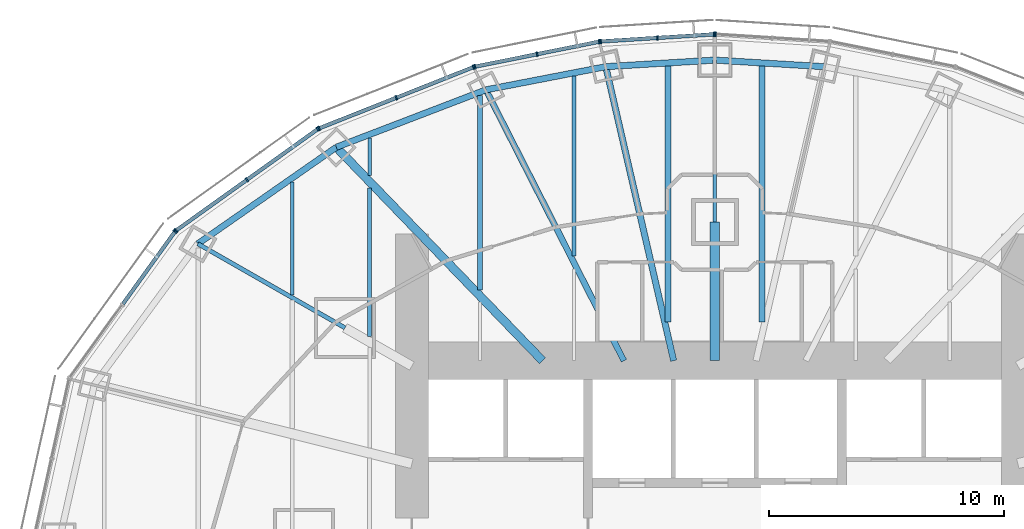
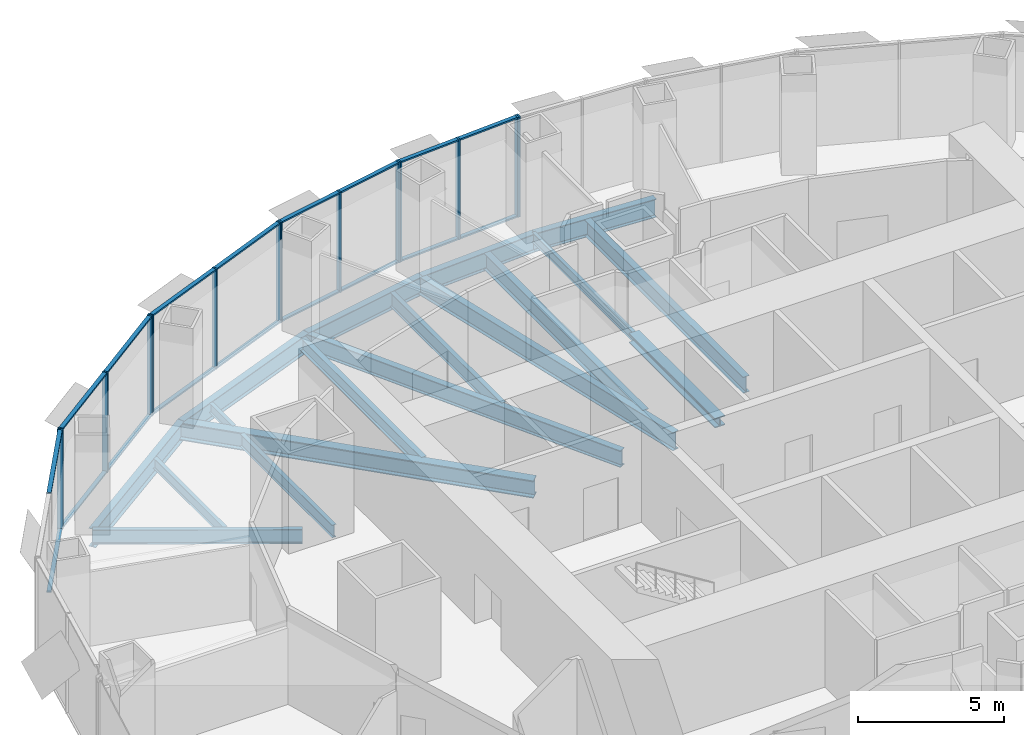
# One storey, part 7 of 17: 32 members, 18 beams, 6 elements without a shape of their own.
"""IFC4 building model written with IfcOpenShell, lengths in metres."""

from ifc_helpers import new_model, si_unit, direction, frame, origin, origin_2d, place, context, subcontext, project, spatial, rectangle, i_section, extrude, material, material_profile, profile_set, type_object, element, aggregate, save


model = new_model("IFC4")

# Units and contexts
model_context = context("Model", 3, precision=1e-05, world=origin(), true_north=direction((0.0, 1.0)))
body_context = subcontext(model_context, "Body", "Model", "MODEL_VIEW")
ifc_project = project(units=[si_unit("LENGTHUNIT", "METRE"), si_unit("AREAUNIT", "SQUARE_METRE"), si_unit("VOLUMEUNIT", "CUBIC_METRE"), si_unit("PLANEANGLEUNIT", "RADIAN"), si_unit("MASSUNIT", "GRAM", prefix="KILO")], contexts=[model_context])

# Site, building, storey
site_placement = place(None, origin())
site = spatial("IfcSite", under=ifc_project, at=site_placement, CompositionType="ELEMENT")
building_placement = place(site_placement, origin())
building = spatial("IfcBuilding", under=site, at=building_placement, Name="Lantaw Convention Tower", CompositionType="ELEMENT")
storey_placement = place(building_placement, frame((0.0, 0.0, 163.60009765625)))
storey = spatial("IfcBuildingStorey", under=building, at=storey_placement, Name="L38", CompositionType="ELEMENT", Elevation=163.60009765625)

# Beams
ifc_material_1 = material(Name="Steel ASTM A992", Category="steel")
ifc_material_profile_1 = material_profile(ifc_material_1, i_section(OverallWidth=0.2666015625, OverallDepth=0.76953125, WebThickness=0.015625, FlangeThickness=0.025390625, FilletRadius=0.0126953125, at=origin_2d()), Name="W30X132")
ifc_profile_set_1 = profile_set([ifc_material_profile_1], Name="Steel ASTM A992")
beam_type_1 = type_object("IfcBeamType", Name="Beam E W30X132", PredefinedType="SPANDREL", material=ifc_profile_set_1)
for number, where, z_axis, x_axis, name in (
    (1, (4.64501953125, 20.1201171875, -0.534912109375), (-0.998190892054, 0.06012439621, 0.0), (-0.06012439621, -0.998190892054, 0.0), "Edge beam 6"),
    (2, (0.0, 20.39990234375, -0.534912109375), (-0.998190892054, -0.06012439621, 0.0), (0.06012439621, -0.998190892054, 0.0), "Edge beam 7"),
):
    element("IfcBeam", number, at=place(storey_placement, frame(where, z_axis=z_axis, x_axis=x_axis)), inside=storey, type_object=beam_type_1, Name=name, PredefinedType="SPANDREL", context=body_context, shape_type="SweptSolid", body=[
        extrude(i_section(OverallWidth=0.2666015625, OverallDepth=0.76953125, WebThickness=0.015625, FlangeThickness=0.025390625, FilletRadius=0.0126953125, at=origin_2d()), origin(), (0.0, 0.0, 1.0), 4.6533203125),
    ])
beam_1_placement = place(storey_placement, frame((-4.64501953125, 20.1201171875, -0.534912109375), z_axis=(-0.981796805654, -0.189934284446, 0.0), x_axis=(0.189934284446, -0.981796805654, 0.0)))
element("IfcBeam", 3, at=beam_1_placement, inside=storey, type_object=beam_type_1, Name="Edge beam 8", PredefinedType="SPANDREL", context=body_context, shape_type="SweptSolid", body=[
    extrude(i_section(OverallWidth=0.2666015625, OverallDepth=0.76953125, WebThickness=0.015625, FlangeThickness=0.025390625, FilletRadius=0.0126953125, at=origin_2d()), origin(), (0.0, 0.0, 1.0), 5.1982421875),
])
beam_2_placement = place(storey_placement, frame((-9.74853515625, 19.1328125, -0.534912109375), z_axis=(-0.933691081977, -0.358079549033, 0.0), x_axis=(0.358079549033, -0.933691081977, 0.0)))
element("IfcBeam", 4, at=beam_2_placement, inside=storey, type_object=beam_type_1, Name="Edge beam 9", PredefinedType="SPANDREL", context=body_context, shape_type="SweptSolid", body=[
    extrude(i_section(OverallWidth=0.2666015625, OverallDepth=0.76953125, WebThickness=0.015625, FlangeThickness=0.025390625, FilletRadius=0.0126953125, at=origin_2d()), origin(), (0.0, 0.0, 1.0), 6.821533203125),
])
beam_3_placement = place(storey_placement, frame((-16.11767578125, 16.690185546875, -0.534912109375), z_axis=(-0.820310765287, -0.57191804339, 0.0), x_axis=(0.57191804339, -0.820310765287, 0.0)))
element("IfcBeam", 5, at=beam_3_placement, inside=storey, type_object=beam_type_1, Name="Edge beam 10", PredefinedType="SPANDREL", context=body_context, shape_type="SweptSolid", body=[
    extrude(i_section(OverallWidth=0.2666015625, OverallDepth=0.76953125, WebThickness=0.015625, FlangeThickness=0.025390625, FilletRadius=0.0126953125, at=origin_2d()), origin(), (0.0, 0.0, 1.0), 7.187744140625),
])
ifc_material_profile_2 = material_profile(ifc_material_1, i_section(OverallWidth=0.140380859375, OverallDepth=0.40380859375, WebThickness=0.007080078125, FlangeThickness=0.01123046875, FilletRadius=0.01025390625, at=origin_2d()), Name="W16X31")
ifc_profile_set_2 = profile_set([ifc_material_profile_2], Name="Steel ASTM A992")
beam_type_2 = type_object("IfcBeamType", Name="Beam G W16X31", PredefinedType="BEAM", material=ifc_profile_set_2)
beam_4_placement = place(storey_placement, frame((0.0, 13.5, -0.35205078125), z_axis=(0.0, 1.0, 0.0), x_axis=(-1.0, 0.0, 0.0)))
element("IfcBeam", 6, at=beam_4_placement, inside=storey, type_object=beam_type_2, Name="Floor girder on ray 7", PredefinedType="BEAM", context=body_context, shape_type="SweptSolid", body=[
    extrude(i_section(OverallWidth=0.140380859375, OverallDepth=0.40380859375, WebThickness=0.007080078125, FlangeThickness=0.01123046875, FilletRadius=0.01025390625, at=origin_2d()), origin(), (0.0, 0.0, 1.0), 6.89990234375),
])
ifc_material_profile_3 = material_profile(ifc_material_1, i_section(OverallWidth=0.177978515625, OverallDepth=0.599365234375, WebThickness=0.010009765625, FlangeThickness=0.012939453125, FilletRadius=0.012939453125, at=origin_2d()), Name="W24X55")
ifc_profile_set_3 = profile_set([ifc_material_profile_3], Name="Steel ASTM A992")
beam_type_3 = type_object("IfcBeamType", Name="Beam G W24X55", PredefinedType="BEAM", material=ifc_profile_set_3)
beam_5_placement = place(storey_placement, frame((-15.75, 9.0, -0.44970703125), z_axis=(-0.868245224608, 0.496135293993, 0.0), x_axis=(-0.496135293993, -0.868245224608, 0.0)))
element("IfcBeam", 7, at=beam_5_placement, inside=storey, type_object=beam_type_3, Name="Floor girder on ray 11", PredefinedType="BEAM", context=body_context, shape_type="SweptSolid", body=[
    extrude(i_section(OverallWidth=0.177978515625, OverallDepth=0.599365234375, WebThickness=0.010009765625, FlangeThickness=0.012939453125, FilletRadius=0.012939453125, at=origin_2d()), origin(), (0.0, 0.0, 1.0), 7.21435546875),
])
ifc_material_profile_4 = material_profile(ifc_material_1, i_section(OverallWidth=0.25390625, OverallDepth=0.700927734375, WebThickness=0.015380859375, FlangeThickness=0.02783203125, FilletRadius=0.01513671875, at=origin_2d()), Name="W27X129")
ifc_profile_set_4 = profile_set([ifc_material_profile_4], Name="Steel ASTM A992")
beam_type_4 = type_object("IfcBeamType", Name="Beam G W27X129", PredefinedType="BEAM", material=ifc_profile_set_4)
beam_6_placement = place(storey_placement, frame((-3.872314453125, 7.60009765625, -0.500732421875), z_axis=(-0.453991051051, 0.891006243281, 0.0), x_axis=(-0.891006243281, -0.453991051051, 0.0)))
element("IfcBeam", 8, at=beam_6_placement, inside=storey, type_object=beam_type_4, Name="Floor girder on ray 9", PredefinedType="BEAM", context=body_context, shape_type="SweptSolid", body=[
    extrude(i_section(OverallWidth=0.25390625, OverallDepth=0.700927734375, WebThickness=0.015380859375, FlangeThickness=0.02783203125, FilletRadius=0.01513671875, at=origin_2d()), origin(), (0.0, 0.0, 1.0), 12.943359375),
])
ifc_material_profile_5 = material_profile(ifc_material_1, i_section(OverallWidth=0.360595703125, OverallDepth=0.72900390625, WebThickness=0.023193359375, FlangeThickness=0.041015625, FilletRadius=0.0126953125, at=origin_2d()), Name="W27X235")
ifc_profile_set_5 = profile_set([ifc_material_profile_5], Name="Steel ASTM A992")
beam_type_5 = type_object("IfcBeamType", Name="Beam G W27X235", PredefinedType="BEAM", material=ifc_profile_set_5)
beam_7_placement = place(storey_placement, frame((-7.33935546875, 7.60009765625, -0.5146484375), z_axis=(-0.694663467407, 0.719334878239, 0.0), x_axis=(-0.719334878239, -0.694663467407, 0.0)))
element("IfcBeam", 9, at=beam_7_placement, inside=storey, type_object=beam_type_5, Name="Floor girder on ray 10", PredefinedType="BEAM", context=body_context, shape_type="SweptSolid", body=[
    extrude(i_section(OverallWidth=0.360595703125, OverallDepth=0.72900390625, WebThickness=0.023193359375, FlangeThickness=0.041015625, FilletRadius=0.0126953125, at=origin_2d()), origin(), (0.0, 0.0, 1.0), 12.63671875),
])
ifc_material_profile_6 = material_profile(ifc_material_1, i_section(OverallWidth=0.2666015625, OverallDepth=0.7568359375, WebThickness=0.013916015625, FlangeThickness=0.019287109375, FilletRadius=0.0126953125, at=origin_2d()), Name="W30X108")
ifc_profile_set_6 = profile_set([ifc_material_profile_6], Name="Steel ASTM A992")
beam_type_6 = type_object("IfcBeamType", Name="Beam G W30X108", PredefinedType="BEAM", material=ifc_profile_set_6)
beam_8_placement = place(storey_placement, frame((-1.754638671875, 7.60009765625, -0.528564453125), z_axis=(-0.224944153104, 0.974371658036, 0.0), x_axis=(-0.974371658036, -0.224944153104, 0.0)))
element("IfcBeam", 10, at=beam_8_placement, inside=storey, type_object=beam_type_6, Name="Floor girder on ray 8", PredefinedType="BEAM", context=body_context, shape_type="SweptSolid", body=[
    extrude(i_section(OverallWidth=0.2666015625, OverallDepth=0.7568359375, WebThickness=0.013916015625, FlangeThickness=0.019287109375, FilletRadius=0.0126953125, at=origin_2d()), origin(), (0.0, 0.0, 1.0), 12.849365234375),
])
ifc_material_profile_7 = material_profile(ifc_material_1, i_section(OverallWidth=0.40380859375, OverallDepth=0.406494140625, WebThickness=0.027099609375, FlangeThickness=0.043701171875, FilletRadius=0.01513671875, at=origin_2d()), Name="W14X233")
ifc_profile_set_7 = profile_set([ifc_material_profile_7], Name="Steel ASTM A992")
beam_type_7 = type_object("IfcBeamType", Name="Beam GM W14X233", PredefinedType="BEAM", material=ifc_profile_set_7)
beam_9_placement = place(storey_placement, frame((0.0, 7.60009765625, -0.353271484375), z_axis=(0.0, 1.0, 0.0), x_axis=(-1.0, 0.0, 0.0)))
element("IfcBeam", 11, at=beam_9_placement, inside=storey, type_object=beam_type_7, Name="Core link beam on ray 7", PredefinedType="BEAM", context=body_context, shape_type="SweptSolid", body=[
    extrude(i_section(OverallWidth=0.40380859375, OverallDepth=0.406494140625, WebThickness=0.027099609375, FlangeThickness=0.043701171875, FilletRadius=0.01513671875, at=origin_2d()), origin(), (0.0, 0.0, 1.0), 5.89990234375),
])
ifc_material_profile_8 = material_profile(ifc_material_1, i_section(OverallWidth=0.140380859375, OverallDepth=0.40380859375, WebThickness=0.007080078125, FlangeThickness=0.01123046875, FilletRadius=0.01025390625, at=origin_2d()), Name="W16X31")
ifc_profile_set_8 = profile_set([ifc_material_profile_8], Name="Steel ASTM A992")
beam_type_8 = type_object("IfcBeamType", Name="Beam J W16X31", PredefinedType="JOIST", material=ifc_profile_set_8)
beam_10_placement = place(storey_placement, frame((-14.699951171875, 15.48193359375, -0.35205078125), z_axis=(0.0, 1.0, 0.0), x_axis=(-1.0, 0.0, 0.0)))
element("IfcBeam", 12, at=beam_10_placement, inside=storey, type_object=beam_type_8, Name="Floor joist", PredefinedType="JOIST", context=body_context, shape_type="SweptSolid", body=[
    extrude(i_section(OverallWidth=0.140380859375, OverallDepth=0.40380859375, WebThickness=0.007080078125, FlangeThickness=0.01123046875, FilletRadius=0.01025390625, at=origin_2d()), origin(), (0.0, 0.0, 1.0), 1.609130859375),
])
ifc_material_profile_9 = material_profile(ifc_material_1, i_section(OverallWidth=0.15234375, OverallDepth=0.449462890625, WebThickness=0.007568359375, FlangeThickness=0.0107421875, FilletRadius=0.01025390625, at=origin_2d()), Name="W18X35")
ifc_profile_set_9 = profile_set([ifc_material_profile_9], Name="Steel ASTM A992")
beam_type_9 = type_object("IfcBeamType", Name="Beam J W18X35", PredefinedType="JOIST", material=ifc_profile_set_9)
beam_11_placement = place(storey_placement, frame((-18.0, 10.38818359375, -0.375), z_axis=(0.0, 1.0, 0.0), x_axis=(-1.0, 0.0, 0.0)))
element("IfcBeam", 13, at=beam_11_placement, inside=storey, type_object=beam_type_9, Name="Floor joist", PredefinedType="JOIST", context=body_context, shape_type="SweptSolid", body=[
    extrude(i_section(OverallWidth=0.15234375, OverallDepth=0.449462890625, WebThickness=0.007568359375, FlangeThickness=0.0107421875, FilletRadius=0.01025390625, at=origin_2d()), origin(), (0.0, 0.0, 1.0), 4.8271484375),
])
ifc_material_profile_10 = material_profile(ifc_material_1, i_section(OverallWidth=0.1650390625, OverallDepth=0.52587890625, WebThickness=0.0087890625, FlangeThickness=0.011474609375, FilletRadius=0.0126953125, at=origin_2d()), Name="W21X44")
ifc_profile_set_10 = profile_set([ifc_material_profile_10], Name="Steel ASTM A992")
beam_type_10 = type_object("IfcBeamType", Name="Beam J W21X44", PredefinedType="JOIST", material=ifc_profile_set_10)
beam_12_placement = place(storey_placement, frame((-14.699951171875, 8.632568359375, -0.4130859375), z_axis=(0.0, 1.0, 0.0), x_axis=(-1.0, 0.0, 0.0)))
element("IfcBeam", 14, at=beam_12_placement, inside=storey, type_object=beam_type_10, Name="Floor joist", PredefinedType="JOIST", context=body_context, shape_type="SweptSolid", body=[
    extrude(i_section(OverallWidth=0.1650390625, OverallDepth=0.52587890625, WebThickness=0.0087890625, FlangeThickness=0.011474609375, FilletRadius=0.0126953125, at=origin_2d()), origin(), (0.0, 0.0, 1.0), 6.330078125),
])
ifc_material_profile_11 = material_profile(ifc_material_1, i_section(OverallWidth=0.2099609375, OverallDepth=0.535888671875, WebThickness=0.010986328125, FlangeThickness=0.017333984375, FilletRadius=0.012939453125, at=origin_2d()), Name="W21X68")
ifc_profile_set_11 = profile_set([ifc_material_profile_11], Name="Steel ASTM A992")
beam_type_11 = type_object("IfcBeamType", Name="Beam J W21X68", PredefinedType="JOIST", material=ifc_profile_set_11)
beam_13_placement = place(storey_placement, frame((-10.0, 10.614990234375, -0.41796875), z_axis=(0.0, 1.0, 0.0), x_axis=(-1.0, 0.0, 0.0)))
element("IfcBeam", 15, at=beam_13_placement, inside=storey, type_object=beam_type_11, Name="Floor joist", PredefinedType="JOIST", context=body_context, shape_type="SweptSolid", body=[
    extrude(i_section(OverallWidth=0.2099609375, OverallDepth=0.535888671875, WebThickness=0.010986328125, FlangeThickness=0.017333984375, FilletRadius=0.012939453125, at=origin_2d()), origin(), (0.0, 0.0, 1.0), 8.278564453125),
])
ifc_material_profile_12 = material_profile(ifc_material_1, i_section(OverallWidth=0.177978515625, OverallDepth=0.599365234375, WebThickness=0.010009765625, FlangeThickness=0.012939453125, FilletRadius=0.012939453125, at=origin_2d()), Name="W24X55")
ifc_profile_set_12 = profile_set([ifc_material_profile_12], Name="Steel ASTM A992")
beam_type_12 = type_object("IfcBeamType", Name="Beam J W24X55", PredefinedType="JOIST", material=ifc_profile_set_12)
beam_14_placement = place(storey_placement, frame((-6.0, 12.055419921875, -0.44970703125), z_axis=(0.0, 1.0, 0.0), x_axis=(-1.0, 0.0, 0.0)))
element("IfcBeam", 16, at=beam_14_placement, inside=storey, type_object=beam_type_12, Name="Floor joist", PredefinedType="JOIST", context=body_context, shape_type="SweptSolid", body=[
    extrude(i_section(OverallWidth=0.177978515625, OverallDepth=0.599365234375, WebThickness=0.010009765625, FlangeThickness=0.012939453125, FilletRadius=0.012939453125, at=origin_2d()), origin(), (0.0, 0.0, 1.0), 7.666748046875),
])
ifc_material_profile_13 = material_profile(ifc_material_1, i_section(OverallWidth=0.25390625, OverallDepth=0.683349609375, WebThickness=0.012451171875, FlangeThickness=0.01904296875, FilletRadius=0.01513671875, at=origin_2d()), Name="W27X94")
ifc_profile_set_13 = profile_set([ifc_material_profile_13], Name="Steel ASTM A992")
beam_type_13 = type_object("IfcBeamType", Name="Beam J W27X94", PredefinedType="JOIST", material=ifc_profile_set_13)
for number, where, z_axis, x_axis, name in (
    (17, (-2.0, 9.255859375, -0.49169921875), (0.0, 1.0, 0.0), (-1.0, 0.0, 0.0), "Floor joist"),
    (18, (2.0, 9.255859375, -0.49169921875), (0.0, 1.0, 0.0), (-1.0, 0.0, 0.0), "Floor joist"),
):
    element("IfcBeam", number, at=place(storey_placement, frame(where, z_axis=z_axis, x_axis=x_axis)), inside=storey, type_object=beam_type_13, Name=name, PredefinedType="JOIST", context=body_context, shape_type="SweptSolid", body=[
        extrude(i_section(OverallWidth=0.25390625, OverallDepth=0.683349609375, WebThickness=0.012451171875, FlangeThickness=0.01904296875, FilletRadius=0.01513671875, at=origin_2d()), origin(), (0.0, 0.0, 1.0), 10.889892578125),
    ])

# Curtain wall, member
ifc_material_2 = material(Name="Aluminium framed curtain wall", Category="aluminium")
curtain_wall_type = type_object("IfcCurtainWallType", Name="Office curtain wall low rise, pale aluminium", PredefinedType="USERDEFINED", material=ifc_material_2)
curtain_wall_1_placement = place(storey_placement, origin())
curtain_wall_1 = element("IfcCurtainWall", 19, at=curtain_wall_1_placement, inside=storey, type_object=curtain_wall_type, Name="Office curtain wall low rise, pale aluminium L38", ObjectType="UNITISED CURTAIN WALL", PredefinedType="USERDEFINED")
ifc_material_3 = material(Name="Aluminium 6063-T6", Category="aluminium")
ifc_material_profile_14 = material_profile(ifc_material_3, rectangle(XDim=0.199951171875, YDim=0.06494140625, at=origin_2d()), Name="CW-O1 mullion 65x200")
ifc_profile_set_14 = profile_set([ifc_material_profile_14], Name="Aluminium 6063-T6")
member_type_1 = type_object("IfcMemberType", Name="CW-O1 mullion 65x200", PredefinedType="MULLION", material=ifc_profile_set_14)
member_1_placement = place(storey_placement, frame((0.032470703125, 21.498046875, -0.150146484375), z_axis=(0.0, 0.0, 1.0), x_axis=(-0.062865059466, -0.998022035978, 0.0)))
member_1 = element("IfcMember", 20, at=member_1_placement, type_object=member_type_1, Name="CW-O1 mullion 3", PredefinedType="MULLION", context=body_context, shape_type="SweptSolid", body=[
    extrude(rectangle(XDim=0.199951171875, YDim=0.06494140625, at=origin_2d()), origin(), (0.0, 0.0, 1.0), 4.199951171875),
])
aggregate(curtain_wall_1, [member_1])

# Curtain wall, members
curtain_wall_2_placement = place(storey_placement, origin())
curtain_wall_2 = element("IfcCurtainWall", 21, at=curtain_wall_2_placement, inside=storey, type_object=curtain_wall_type, Name="Office curtain wall low rise, pale aluminium L38", ObjectType="UNITISED CURTAIN WALL", PredefinedType="USERDEFINED")
member_2_placement = place(storey_placement, frame((-0.032470703125, 21.498046875, -0.150146484375), z_axis=(0.0, 0.0, 1.0), x_axis=(0.062865059466, -0.998022035978, 0.0)))
member_2 = element("IfcMember", 22, at=member_2_placement, type_object=member_type_1, Name="CW-O1 mullion 1", PredefinedType="MULLION", context=body_context, shape_type="SweptSolid", body=[
    extrude(rectangle(XDim=0.199951171875, YDim=0.06494140625, at=origin_2d()), origin(), (0.0, 0.0, 1.0), 4.199951171875),
])
member_3_placement = place(storey_placement, frame((-2.4462890625, 21.345947265625, -0.150146484375), z_axis=(0.0, 0.0, 1.0), x_axis=(0.062865059466, -0.998022035978, 0.0)))
member_3 = element("IfcMember", 23, at=member_3_placement, type_object=member_type_1, Name="CW-O1 mullion 2", PredefinedType="MULLION", context=body_context, shape_type="SweptSolid", body=[
    extrude(rectangle(XDim=0.199951171875, YDim=0.06494140625, at=origin_2d()), origin(), (0.0, 0.0, 1.0), 4.199951171875),
])
member_4_placement = place(storey_placement, frame((-4.860107421875, 21.19384765625, -0.150146484375), z_axis=(0.0, 0.0, 1.0), x_axis=(0.062865059466, -0.998022035978, 0.0)))
member_4 = element("IfcMember", 24, at=member_4_placement, type_object=member_type_1, Name="CW-O1 mullion 3", PredefinedType="MULLION", context=body_context, shape_type="SweptSolid", body=[
    extrude(rectangle(XDim=0.199951171875, YDim=0.06494140625, at=origin_2d()), origin(), (0.0, 0.0, 1.0), 4.199951171875),
])

curtain_wall_3_placement = place(storey_placement, origin())
curtain_wall_3 = element("IfcCurtainWall", 25, at=curtain_wall_3_placement, inside=storey, type_object=curtain_wall_type, Name="Office curtain wall low rise, pale aluminium L38", ObjectType="UNITISED CURTAIN WALL", PredefinedType="USERDEFINED")
member_5_placement = place(storey_placement, frame((-4.92431640625, 21.185302734375, -0.150146484375), z_axis=(0.0, 0.0, 1.0), x_axis=(0.197506809659, -0.980301514912, 0.0)))
member_5 = element("IfcMember", 26, at=member_5_placement, type_object=member_type_1, Name="CW-O1 mullion 1", PredefinedType="MULLION", context=body_context, shape_type="SweptSolid", body=[
    extrude(rectangle(XDim=0.199951171875, YDim=0.06494140625, at=origin_2d()), origin(), (0.0, 0.0, 1.0), 4.199951171875),
])
member_6_placement = place(storey_placement, frame((-7.5703125, 20.65234375, -0.150146484375), z_axis=(0.0, 0.0, 1.0), x_axis=(0.197506809659, -0.980301514912, 0.0)))
member_6 = element("IfcMember", 27, at=member_6_placement, type_object=member_type_1, Name="CW-O1 mullion 2", PredefinedType="MULLION", context=body_context, shape_type="SweptSolid", body=[
    extrude(rectangle(XDim=0.199951171875, YDim=0.06494140625, at=origin_2d()), origin(), (0.0, 0.0, 1.0), 4.199951171875),
])
member_7_placement = place(storey_placement, frame((-10.216064453125, 20.119140625, -0.150146484375), z_axis=(0.0, 0.0, 1.0), x_axis=(0.197506809659, -0.980301514912, 0.0)))
member_7 = element("IfcMember", 28, at=member_7_placement, type_object=member_type_1, Name="CW-O1 mullion 3", PredefinedType="MULLION", context=body_context, shape_type="SweptSolid", body=[
    extrude(rectangle(XDim=0.199951171875, YDim=0.06494140625, at=origin_2d()), origin(), (0.0, 0.0, 1.0), 4.199951171875),
])

curtain_wall_4_placement = place(storey_placement, origin())
curtain_wall_4 = element("IfcCurtainWall", 29, at=curtain_wall_4_placement, inside=storey, type_object=curtain_wall_type, Name="Office curtain wall low rise, pale aluminium L38", ObjectType="UNITISED CURTAIN WALL", PredefinedType="USERDEFINED")
member_8_placement = place(storey_placement, frame((-10.2783203125, 20.100830078125, -0.150146484375), z_axis=(0.0, 0.0, 1.0), x_axis=(0.368701907483, -0.929547687544, 0.0)))
member_8 = element("IfcMember", 30, at=member_8_placement, type_object=member_type_1, Name="CW-O1 mullion 1", PredefinedType="MULLION", context=body_context, shape_type="SweptSolid", body=[
    extrude(rectangle(XDim=0.199951171875, YDim=0.06494140625, at=origin_2d()), origin(), (0.0, 0.0, 1.0), 4.199951171875),
])
member_9_placement = place(storey_placement, frame((-13.56494140625, 18.797119140625, -0.150146484375), z_axis=(0.0, 0.0, 1.0), x_axis=(0.368701907483, -0.929547687544, 0.0)))
member_9 = element("IfcMember", 31, at=member_9_placement, type_object=member_type_1, Name="CW-O1 mullion 2", PredefinedType="MULLION", context=body_context, shape_type="SweptSolid", body=[
    extrude(rectangle(XDim=0.199951171875, YDim=0.06494140625, at=origin_2d()), origin(), (0.0, 0.0, 1.0), 4.199951171875),
])
member_10_placement = place(storey_placement, frame((-16.8515625, 17.49365234375, -0.150146484375), z_axis=(0.0, 0.0, 1.0), x_axis=(0.368701907483, -0.929547687544, 0.0)))
member_10 = element("IfcMember", 32, at=member_10_placement, type_object=member_type_1, Name="CW-O1 mullion 3", PredefinedType="MULLION", context=body_context, shape_type="SweptSolid", body=[
    extrude(rectangle(XDim=0.199951171875, YDim=0.06494140625, at=origin_2d()), origin(), (0.0, 0.0, 1.0), 4.199951171875),
])

curtain_wall_5_placement = place(storey_placement, origin())
curtain_wall_5 = element("IfcCurtainWall", 33, at=curtain_wall_5_placement, inside=storey, type_object=curtain_wall_type, Name="Office curtain wall low rise, pale aluminium L38", ObjectType="UNITISED CURTAIN WALL", PredefinedType="USERDEFINED")
member_11_placement = place(storey_placement, frame((-16.908203125, 17.462646484375, -0.150146484375), z_axis=(0.0, 0.0, 1.0), x_axis=(0.581972695693, -0.813208325995, 0.0)))
member_11 = element("IfcMember", 34, at=member_11_placement, type_object=member_type_1, Name="CW-O1 mullion 1", PredefinedType="MULLION", context=body_context, shape_type="SweptSolid", body=[
    extrude(rectangle(XDim=0.199951171875, YDim=0.06494140625, at=origin_2d()), origin(), (0.0, 0.0, 1.0), 4.199951171875),
])
member_12_placement = place(storey_placement, frame((-19.92529296875, 15.303466796875, -0.150146484375), z_axis=(0.0, 0.0, 1.0), x_axis=(0.581972695693, -0.813208325995, 0.0)))
member_12 = element("IfcMember", 35, at=member_12_placement, type_object=member_type_1, Name="CW-O1 mullion 2", PredefinedType="MULLION", context=body_context, shape_type="SweptSolid", body=[
    extrude(rectangle(XDim=0.199951171875, YDim=0.06494140625, at=origin_2d()), origin(), (0.0, 0.0, 1.0), 4.199951171875),
])
member_13_placement = place(storey_placement, frame((-22.942626953125, 13.14404296875, -0.150146484375), z_axis=(0.0, 0.0, 1.0), x_axis=(0.581972695693, -0.813208325995, 0.0)))
member_13 = element("IfcMember", 36, at=member_13_placement, type_object=member_type_1, Name="CW-O1 mullion 3", PredefinedType="MULLION", context=body_context, shape_type="SweptSolid", body=[
    extrude(rectangle(XDim=0.199951171875, YDim=0.06494140625, at=origin_2d()), origin(), (0.0, 0.0, 1.0), 4.199951171875),
])

# Curtain wall, member
curtain_wall_6_placement = place(storey_placement, origin())
curtain_wall_6 = element("IfcCurtainWall", 37, at=curtain_wall_6_placement, inside=storey, type_object=curtain_wall_type, Name="Office curtain wall low rise, pale aluminium L38", ObjectType="UNITISED CURTAIN WALL", PredefinedType="USERDEFINED")
member_14_placement = place(storey_placement, frame((-22.988037109375, 13.098876953125, -0.150146484375), z_axis=(0.0, 0.0, 1.0), x_axis=(0.811384633629, -0.584512597221, 0.0)))
member_14 = element("IfcMember", 38, at=member_14_placement, type_object=member_type_1, Name="CW-O1 mullion 1", PredefinedType="MULLION", context=body_context, shape_type="SweptSolid", body=[
    extrude(rectangle(XDim=0.199951171875, YDim=0.06494140625, at=origin_2d()), origin(), (0.0, 0.0, 1.0), 4.199951171875),
])

# Member
ifc_material_profile_15 = material_profile(ifc_material_3, rectangle(XDim=0.159912109375, YDim=0.06494140625, at=origin_2d()), Name="CW-O1 transom 65x160")
ifc_profile_set_15 = profile_set([ifc_material_profile_15], Name="Aluminium 6063-T6")
member_type_2 = type_object("IfcMemberType", Name="CW-O1 transom 65x160", PredefinedType="USERDEFINED", material=ifc_profile_set_15)
member_15_placement = place(storey_placement, frame((-0.06494140625, 21.495849609375, -0.11767578125), z_axis=(-0.998022188463, -0.062862638625, 0.0), x_axis=(0.062862638625, -0.998022188463, 0.0)))
member_15 = element("IfcMember", 39, at=member_15_placement, type_object=member_type_2, Name="CW-O1 transom 1.1", ObjectType="TRANSOM", PredefinedType="USERDEFINED", context=body_context, shape_type="SweptSolid", body=[
    extrude(rectangle(XDim=0.159912109375, YDim=0.06494140625, at=origin_2d()), origin(), (0.0, 0.0, 1.0), 2.353515625),
])

member_16_placement = place(storey_placement, frame((-0.06494140625, 21.495849609375, 4.017333984375), z_axis=(-0.998022188463, -0.062862638625, 0.0), x_axis=(0.062862638625, -0.998022188463, 0.0)))
member_16 = element("IfcMember", 40, at=member_16_placement, type_object=member_type_2, Name="CW-O1 transom 1.2", ObjectType="TRANSOM", PredefinedType="USERDEFINED", context=body_context, shape_type="SweptSolid", body=[
    extrude(rectangle(XDim=0.159912109375, YDim=0.06494140625, at=origin_2d()), origin(), (0.0, 0.0, 1.0), 2.353515625),
])

member_17_placement = place(storey_placement, frame((-2.478759765625, 21.34375, -0.11767578125), z_axis=(-0.998022188463, -0.062862638625, 0.0), x_axis=(0.062862638625, -0.998022188463, 0.0)))
member_17 = element("IfcMember", 41, at=member_17_placement, type_object=member_type_2, Name="CW-O1 transom 2.1", ObjectType="TRANSOM", PredefinedType="USERDEFINED", context=body_context, shape_type="SweptSolid", body=[
    extrude(rectangle(XDim=0.159912109375, YDim=0.06494140625, at=origin_2d()), origin(), (0.0, 0.0, 1.0), 2.353515625),
])

member_18_placement = place(storey_placement, frame((-2.478759765625, 21.34375, 4.017333984375), z_axis=(-0.998022188463, -0.062862638625, 0.0), x_axis=(0.062862638625, -0.998022188463, 0.0)))
member_18 = element("IfcMember", 42, at=member_18_placement, type_object=member_type_2, Name="CW-O1 transom 2.2", ObjectType="TRANSOM", PredefinedType="USERDEFINED", context=body_context, shape_type="SweptSolid", body=[
    extrude(rectangle(XDim=0.159912109375, YDim=0.06494140625, at=origin_2d()), origin(), (0.0, 0.0, 1.0), 2.353515625),
])

aggregate(curtain_wall_2, [member_2, member_3, member_4, member_15, member_16, member_17, member_18])

member_19_placement = place(storey_placement, frame((-4.956298828125, 21.178955078125, -0.11767578125), z_axis=(-0.980298027092, -0.197524120247, 0.0), x_axis=(0.197524120247, -0.980298027092, 0.0)))
member_19 = element("IfcMember", 43, at=member_19_placement, type_object=member_type_2, Name="CW-O1 transom 1.1", ObjectType="TRANSOM", PredefinedType="USERDEFINED", context=body_context, shape_type="SweptSolid", body=[
    extrude(rectangle(XDim=0.159912109375, YDim=0.06494140625, at=origin_2d()), origin(), (0.0, 0.0, 1.0), 2.634033203125),
])

member_20_placement = place(storey_placement, frame((-4.956298828125, 21.178955078125, 4.017333984375), z_axis=(-0.980298027092, -0.197524120247, 0.0), x_axis=(0.197524120247, -0.980298027092, 0.0)))
member_20 = element("IfcMember", 44, at=member_20_placement, type_object=member_type_2, Name="CW-O1 transom 1.2", ObjectType="TRANSOM", PredefinedType="USERDEFINED", context=body_context, shape_type="SweptSolid", body=[
    extrude(rectangle(XDim=0.159912109375, YDim=0.06494140625, at=origin_2d()), origin(), (0.0, 0.0, 1.0), 2.634033203125),
])

member_21_placement = place(storey_placement, frame((-7.60205078125, 20.64599609375, -0.11767578125), z_axis=(-0.980301643003, -0.197506173891, 0.0), x_axis=(0.197506173891, -0.980301643003, 0.0)))
member_21 = element("IfcMember", 45, at=member_21_placement, type_object=member_type_2, Name="CW-O1 transom 2.1", ObjectType="TRANSOM", PredefinedType="USERDEFINED", context=body_context, shape_type="SweptSolid", body=[
    extrude(rectangle(XDim=0.159912109375, YDim=0.06494140625, at=origin_2d()), origin(), (0.0, 0.0, 1.0), 2.63427734375),
])

member_22_placement = place(storey_placement, frame((-7.60205078125, 20.64599609375, 4.017333984375), z_axis=(-0.980301643003, -0.197506173891, 0.0), x_axis=(0.197506173891, -0.980301643003, 0.0)))
member_22 = element("IfcMember", 46, at=member_22_placement, type_object=member_type_2, Name="CW-O1 transom 2.2", ObjectType="TRANSOM", PredefinedType="USERDEFINED", context=body_context, shape_type="SweptSolid", body=[
    extrude(rectangle(XDim=0.159912109375, YDim=0.06494140625, at=origin_2d()), origin(), (0.0, 0.0, 1.0), 2.63427734375),
])

aggregate(curtain_wall_3, [member_5, member_6, member_7, member_19, member_20, member_21, member_22])

member_23_placement = place(storey_placement, frame((-10.308349609375, 20.0888671875, -0.11767578125), z_axis=(-0.929540081544, -0.368721082668, 0.0), x_axis=(0.368721082668, -0.929540081544, 0.0)))
member_23 = element("IfcMember", 47, at=member_23_placement, type_object=member_type_2, Name="CW-O1 transom 1.1", ObjectType="TRANSOM", PredefinedType="USERDEFINED", context=body_context, shape_type="SweptSolid", body=[
    extrude(rectangle(XDim=0.159912109375, YDim=0.06494140625, at=origin_2d()), origin(), (0.0, 0.0, 1.0), 3.470947265625),
])

member_24_placement = place(storey_placement, frame((-10.308349609375, 20.0888671875, 4.017333984375), z_axis=(-0.929540081544, -0.368721082668, 0.0), x_axis=(0.368721082668, -0.929540081544, 0.0)))
member_24 = element("IfcMember", 48, at=member_24_placement, type_object=member_type_2, Name="CW-O1 transom 1.2", ObjectType="TRANSOM", PredefinedType="USERDEFINED", context=body_context, shape_type="SweptSolid", body=[
    extrude(rectangle(XDim=0.159912109375, YDim=0.06494140625, at=origin_2d()), origin(), (0.0, 0.0, 1.0), 3.470947265625),
])

member_25_placement = place(storey_placement, frame((-13.594970703125, 18.78515625, -0.11767578125), z_axis=(-0.929564188507, -0.368660303592, 0.0), x_axis=(0.368660303592, -0.929564188507, 0.0)))
member_25 = element("IfcMember", 49, at=member_25_placement, type_object=member_type_2, Name="CW-O1 transom 2.1", ObjectType="TRANSOM", PredefinedType="USERDEFINED", context=body_context, shape_type="SweptSolid", body=[
    extrude(rectangle(XDim=0.159912109375, YDim=0.06494140625, at=origin_2d()), origin(), (0.0, 0.0, 1.0), 3.470703125),
])

member_26_placement = place(storey_placement, frame((-13.594970703125, 18.78515625, 4.017333984375), z_axis=(-0.929564188507, -0.368660303592, 0.0), x_axis=(0.368660303592, -0.929564188507, 0.0)))
member_26 = element("IfcMember", 50, at=member_26_placement, type_object=member_type_2, Name="CW-O1 transom 2.2", ObjectType="TRANSOM", PredefinedType="USERDEFINED", context=body_context, shape_type="SweptSolid", body=[
    extrude(rectangle(XDim=0.159912109375, YDim=0.06494140625, at=origin_2d()), origin(), (0.0, 0.0, 1.0), 3.470703125),
])

aggregate(curtain_wall_4, [member_8, member_9, member_10, member_23, member_24, member_25, member_26])

member_27_placement = place(storey_placement, frame((-16.9345703125, 17.44384765625, -0.11767578125), z_axis=(-0.813190089133, -0.581998177777, 0.0), x_axis=(0.581998177777, -0.813190089133, 0.0)))
member_27 = element("IfcMember", 51, at=member_27_placement, type_object=member_type_2, Name="CW-O1 transom 1.1", ObjectType="TRANSOM", PredefinedType="USERDEFINED", context=body_context, shape_type="SweptSolid", body=[
    extrude(rectangle(XDim=0.159912109375, YDim=0.06494140625, at=origin_2d()), origin(), (0.0, 0.0, 1.0), 3.645263671875),
])

member_28_placement = place(storey_placement, frame((-16.9345703125, 17.44384765625, 4.017333984375), z_axis=(-0.813190089133, -0.581998177777, 0.0), x_axis=(0.581998177777, -0.813190089133, 0.0)))
member_28 = element("IfcMember", 52, at=member_28_placement, type_object=member_type_2, Name="CW-O1 transom 1.2", ObjectType="TRANSOM", PredefinedType="USERDEFINED", context=body_context, shape_type="SweptSolid", body=[
    extrude(rectangle(XDim=0.159912109375, YDim=0.06494140625, at=origin_2d()), origin(), (0.0, 0.0, 1.0), 3.645263671875),
])

member_29_placement = place(storey_placement, frame((-19.951904296875, 15.284423828125, -0.11767578125), z_axis=(-0.813221785972, -0.581953887194, 0.0), x_axis=(0.581953887194, -0.813221785972, 0.0)))
member_29 = element("IfcMember", 53, at=member_29_placement, type_object=member_type_2, Name="CW-O1 transom 2.1", ObjectType="TRANSOM", PredefinedType="USERDEFINED", context=body_context, shape_type="SweptSolid", body=[
    extrude(rectangle(XDim=0.159912109375, YDim=0.06494140625, at=origin_2d()), origin(), (0.0, 0.0, 1.0), 3.645263671875),
])

member_30_placement = place(storey_placement, frame((-19.951904296875, 15.284423828125, 4.017333984375), z_axis=(-0.813221785972, -0.581953887194, 0.0), x_axis=(0.581953887194, -0.813221785972, 0.0)))
member_30 = element("IfcMember", 54, at=member_30_placement, type_object=member_type_2, Name="CW-O1 transom 2.2", ObjectType="TRANSOM", PredefinedType="USERDEFINED", context=body_context, shape_type="SweptSolid", body=[
    extrude(rectangle(XDim=0.159912109375, YDim=0.06494140625, at=origin_2d()), origin(), (0.0, 0.0, 1.0), 3.645263671875),
])

aggregate(curtain_wall_5, [member_11, member_12, member_13, member_27, member_28, member_29, member_30])

member_31_placement = place(storey_placement, frame((-23.007080078125, 13.072509765625, -0.11767578125), z_axis=(-0.584512973979, -0.811384362217, 0.0), x_axis=(0.811384362217, -0.584512973979, 0.0)))
member_31 = element("IfcMember", 55, at=member_31_placement, type_object=member_type_2, Name="CW-O1 transom 1.1", ObjectType="TRANSOM", PredefinedType="USERDEFINED", context=body_context, shape_type="SweptSolid", body=[
    extrude(rectangle(XDim=0.159912109375, YDim=0.06494140625, at=origin_2d()), origin(), (0.0, 0.0, 1.0), 3.767578125),
])

member_32_placement = place(storey_placement, frame((-23.007080078125, 13.072509765625, 4.017333984375), z_axis=(-0.584512973979, -0.811384362217, 0.0), x_axis=(0.811384362217, -0.584512973979, 0.0)))
member_32 = element("IfcMember", 56, at=member_32_placement, type_object=member_type_2, Name="CW-O1 transom 1.2", ObjectType="TRANSOM", PredefinedType="USERDEFINED", context=body_context, shape_type="SweptSolid", body=[
    extrude(rectangle(XDim=0.159912109375, YDim=0.06494140625, at=origin_2d()), origin(), (0.0, 0.0, 1.0), 3.767578125),
])

aggregate(curtain_wall_6, [member_14, member_31, member_32])

save(model, "model.ifc")
